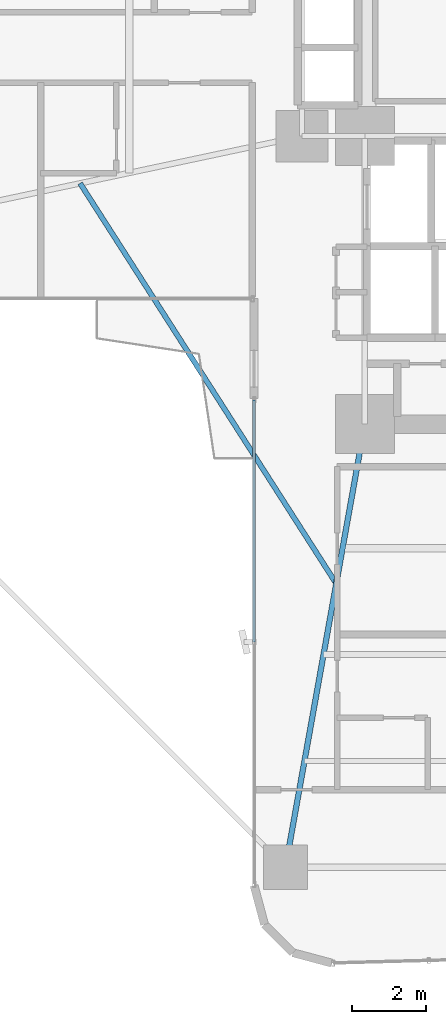
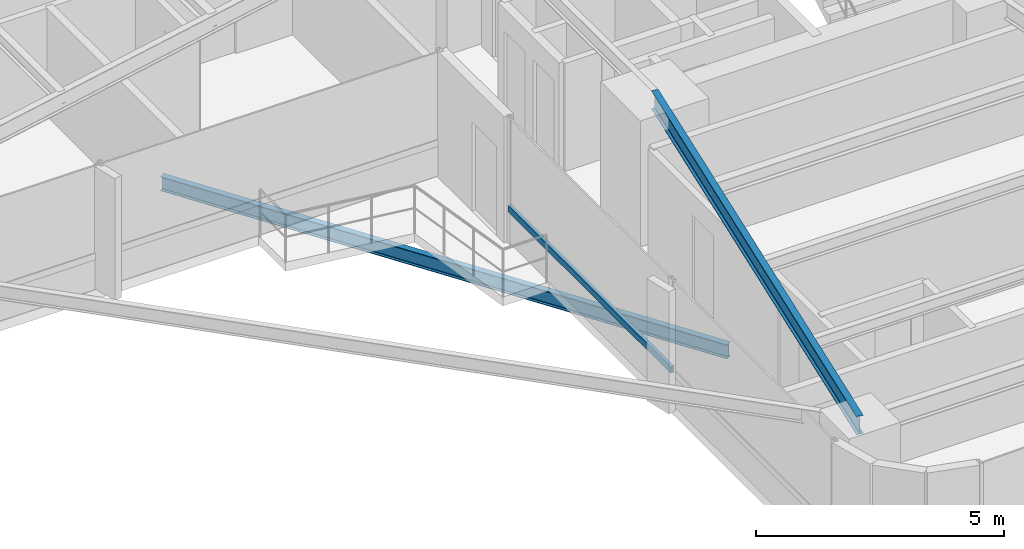
# One storey, part 3 of 25: 2 beams, 1 member, 1 element without a shape of its own.
"""IFC4 building model written with IfcOpenShell, lengths in metres."""

import ifcopenshell
import ifcopenshell.guid

model = None  # the IFC model being written
_history = None  # IfcOwnerHistory: only IFC2X3 demands one
_inside = {}  # id of a spatial element -> (the spatial element, [elements in it])
_under = {}  # id of a project, library or spatial element -> (it, [spatial elements below it])
_declared = {}  # id of a project -> (the project, [libraries it declares])
_typed = {}  # id of a type object -> (the type object, [elements of that type])
_made_of = {}  # id of a material, layer set ... -> (it, [elements and type objects made of it])


def new_model(schema):
    """Start an empty IFC model of exactly this schema.

    Asked for "IFC4X3", IfcOpenShell would pick the latest addendum, in which some entities
    have other attributes; the version numbers below select the first issue.
    IFC2X3 requires an IfcOwnerHistory on every rooted entity: one is made here for all.
    """
    global model, _history
    if schema == "IFC4X3":
        model = ifcopenshell.file(schema_version=(4, 3, 0, 0))
    else:
        model = ifcopenshell.file(schema=schema)
    _inside.clear()
    _under.clear()
    _declared.clear()
    _typed.clear()
    _made_of.clear()
    _history = None
    if model.schema == "IFC2X3":
        org = make("IfcOrganization", Name="unknown")
        user = make(
            "IfcPersonAndOrganization",
            ThePerson=make("IfcPerson", FamilyName="unknown"),
            TheOrganization=org,
        )
        app = make(
            "IfcApplication",
            ApplicationDeveloper=org,
            Version="unknown",
            ApplicationFullName="unknown",
            ApplicationIdentifier="unknown",
        )
        _history = make(
            "IfcOwnerHistory",
            OwningUser=user,
            OwningApplication=app,
            ChangeAction="ADDED",
            CreationDate=0,
        )
    return model


def make(cls, **values):
    """One entity of the class cls with the attributes given. An attribute that is None is left unset."""
    return model.create_entity(
        cls, **{name: value for name, value in values.items() if value is not None}
    )


def rooted(cls, **values):
    """An entity with a GlobalId (a new one), such as an element, a storey or a relation."""
    return make(cls, GlobalId=ifcopenshell.guid.new(), OwnerHistory=_history, **values)


def si_unit(unit_type, name, prefix=None):
    """IfcSIUnit, for example si_unit("LENGTHUNIT", "METRE", prefix="MILLI")."""
    return make("IfcSIUnit", UnitType=unit_type, Prefix=prefix, Name=name)


def assignment(units):
    """IfcUnitAssignment: the units of a project."""
    return None if units is None else make("IfcUnitAssignment", Units=units)


def point(xyz):
    """IfcCartesianPoint."""
    return None if xyz is None else make("IfcCartesianPoint", Coordinates=xyz)


def direction(xyz):
    """IfcDirection."""
    return None if xyz is None else make("IfcDirection", DirectionRatios=xyz)


def frame(location, z_axis=None, x_axis=None):
    """IfcAxis2Placement3D, a coordinate frame: its origin and axes. An axis left out is left unset."""
    return make(
        "IfcAxis2Placement3D",
        Location=point(location),
        Axis=direction(z_axis),
        RefDirection=direction(x_axis),
    )


def frame_2d(location, x_axis=None):
    """IfcAxis2Placement2D, a coordinate frame in the plane: its origin and x axis."""
    return make(
        "IfcAxis2Placement2D", Location=point(location), RefDirection=direction(x_axis)
    )


def origin():
    """The frame at (0, 0, 0) with its axes left unset."""
    return frame((0.0, 0.0, 0.0))


def origin_2d():
    """The frame at (0, 0) in the plane with its x axis left unset."""
    return frame_2d((0.0, 0.0))


def place(relative_to, where):
    """IfcLocalPlacement: puts the frame where relative to a parent placement (None: the world)."""
    return make(
        "IfcLocalPlacement", PlacementRelTo=relative_to, RelativePlacement=where
    )


def context(
    kind, dimensions, precision=None, world=None, true_north=None, identifier=None
):
    """IfcGeometricRepresentationContext, for example the 3D "Model" context."""
    return make(
        "IfcGeometricRepresentationContext",
        ContextIdentifier=identifier,
        ContextType=kind,
        CoordinateSpaceDimension=dimensions,
        Precision=precision,
        WorldCoordinateSystem=world,
        TrueNorth=true_north,
    )


def subcontext(parent, identifier, kind, view, scale=None):
    """IfcGeometricRepresentationSubContext, for example "Body" below "Model"."""
    return make(
        "IfcGeometricRepresentationSubContext",
        ContextIdentifier=identifier,
        ContextType=kind,
        ParentContext=parent,
        TargetScale=scale,
        TargetView=view,
    )


def project(units=None, contexts=None):
    """IfcProject with its units and contexts."""
    return rooted(
        "IfcProject",
        Name="project",
        RepresentationContexts=contexts,
        UnitsInContext=assignment(units),
    )


def spatial(cls, under=None, at=None, **own):
    """A site, building, storey or space (cls), placed at a placement, below another one or the project."""
    s = rooted(cls, ObjectPlacement=at, **own)
    if under is not None:
        _under.setdefault(under.id(), (under, []))[1].append(s)
    return s


def profile(cls, at=None, kind="AREA", **sizes):
    """A parametric profile (cls). Its sizes go by their IFC names, for example OverallWidth=200.0."""
    return make(cls, ProfileType=kind, Position=at, **sizes)


def hollow_rectangle(**sizes):
    """IfcRectangleHollowProfileDef."""
    return profile("IfcRectangleHollowProfileDef", **sizes)


def i_section(**sizes):
    """IfcIShapeProfileDef."""
    return profile("IfcIShapeProfileDef", **sizes)


def extrude(swept, where, along, depth):
    """IfcExtrudedAreaSolid: the profile swept, set in the frame where, extruded along a direction by depth."""
    return make(
        "IfcExtrudedAreaSolid",
        SweptArea=swept,
        Position=where,
        ExtrudedDirection=direction(along),
        Depth=depth,
    )


def shape(context_of_items, identifier, shape_type, items):
    """IfcShapeRepresentation: the items that make up one representation, for example the "Body"."""
    return make(
        "IfcShapeRepresentation",
        ContextOfItems=context_of_items,
        RepresentationIdentifier=identifier,
        RepresentationType=shape_type,
        Items=items,
    )


def source(mapping_origin, context_of_items, identifier, shape_type, items):
    """IfcRepresentationMap: a shape defined once, which mapped items show again and again."""
    return make(
        "IfcRepresentationMap",
        MappingOrigin=mapping_origin,
        MappedRepresentation=shape(context_of_items, identifier, shape_type, items),
    )


def transform(
    local_origin,
    x_axis=None,
    y_axis=None,
    z_axis=None,
    scale=None,
    scale2=None,
    scale3=None,
    uniform=True,
):
    """IfcCartesianTransformationOperator3D, or its non-uniform kind. x_axis, y_axis, z_axis: its Axis1, 2, 3."""
    if uniform:
        return make(
            "IfcCartesianTransformationOperator3D",
            Axis1=direction(x_axis),
            Axis2=direction(y_axis),
            LocalOrigin=point(local_origin),
            Scale=scale,
            Axis3=direction(z_axis),
        )
    return make(
        "IfcCartesianTransformationOperator3DnonUniform",
        Axis1=direction(x_axis),
        Axis2=direction(y_axis),
        LocalOrigin=point(local_origin),
        Scale=scale,
        Axis3=direction(z_axis),
        Scale2=scale2,
        Scale3=scale3,
    )


def mapped(mapping_source, mapping_target):
    """IfcMappedItem: shows the shape of a source again, moved by a transform."""
    return make(
        "IfcMappedItem", MappingSource=mapping_source, MappingTarget=mapping_target
    )


def material(Name=None, Category=None):
    """IfcMaterial."""
    return make("IfcMaterial", Name=Name, Category=Category)


def material_profile(
    of_material, cross_section, Name=None, Category=None, Priority=None
):
    """IfcMaterialProfile: a cross section and its material."""
    return make(
        "IfcMaterialProfile",
        Name=Name,
        Material=of_material,
        Profile=cross_section,
        Priority=Priority,
        Category=Category,
    )


def profile_set(profiles, Name=None, composite=None):
    """IfcMaterialProfileSet."""
    return make(
        "IfcMaterialProfileSet",
        Name=Name,
        MaterialProfiles=profiles,
        CompositeProfile=composite,
    )


def made_of(thing, what):
    """Note that an element or type object is made of a material, layer set ...; save() writes the relation."""
    if what is not None:
        _made_of.setdefault(what.id(), (what, []))[1].append(thing)
    return thing


def type_object(cls, material=None, **own):
    """A type object (cls), such as IfcWallType, which elements share."""
    return made_of(rooted(cls, **own), material)


def element(
    cls,
    number,
    at=None,
    inside=None,
    cuts=None,
    type_object=None,
    material=None,
    context=None,
    identifier="Body",
    shape_type=None,
    held_by="IfcProductDefinitionShape",
    body=None,
    shapes=None,
    **own,
):
    """One element of the class cls, such as IfcWall. Its Tag is "e" and its number.

    at: its placement. inside: the storey or other place that contains it. cuts: it is an
    opening in that element (IfcRelVoidsElement). A single representation is given by context,
    identifier, shape_type and body (its items); several are given by shapes. held_by: the class
    of the entity that holds the representations. save() writes the other relations.
    """
    e = rooted(cls, Tag="e%d" % number, ObjectPlacement=at, **own)
    if body is not None:
        shapes = [shape(context, identifier, shape_type, body)]
    if shapes is not None:
        e.Representation = make(held_by, Representations=shapes)
    if inside is not None:
        _inside.setdefault(inside.id(), (inside, []))[1].append(e)
    if cuts is not None:
        rooted(
            "IfcRelVoidsElement", RelatingBuildingElement=cuts, RelatedOpeningElement=e
        )
    if type_object is not None:
        _typed.setdefault(type_object.id(), (type_object, []))[1].append(e)
    return made_of(e, material)


def aggregate(whole, parts):
    """IfcRelAggregates: a whole, such as a stair, and the parts it consists of."""
    return rooted("IfcRelAggregates", RelatingObject=whole, RelatedObjects=parts)


def save(model, path):
    """Write the relations noted so far, then the file.

    IfcRelAggregates (storeys below a building ...), IfcRelContainedInSpatialStructure (elements
    in a storey), IfcRelDefinesByType, IfcRelAssociatesMaterial and IfcRelDeclares: one each for
    every whole, place, type object, material and project.
    """
    for whole, parts in _under.values():
        aggregate(whole, parts)
    for where, things in _inside.values():
        rooted(
            "IfcRelContainedInSpatialStructure",
            RelatedElements=things,
            RelatingStructure=where,
        )
    for kind, things in _typed.values():
        rooted("IfcRelDefinesByType", RelatedObjects=things, RelatingType=kind)
    for what, things in _made_of.values():
        rooted("IfcRelAssociatesMaterial", RelatedObjects=things, RelatingMaterial=what)
    for by, libraries in _declared.values():
        rooted("IfcRelDeclares", RelatingContext=by, RelatedDefinitions=libraries)
    model.write(path)


model = new_model("IFC4")

# Units and contexts
model_context = context("Model", 3, precision=1e-05, world=origin(), true_north=direction((0.0, 1.0)))
body_context = subcontext(model_context, "Body", "Model", "MODEL_VIEW")
ifc_project = project(units=[si_unit("LENGTHUNIT", "METRE"), si_unit("AREAUNIT", "SQUARE_METRE"), si_unit("VOLUMEUNIT", "CUBIC_METRE"), si_unit("PLANEANGLEUNIT", "RADIAN"), si_unit("MASSUNIT", "GRAM", prefix="KILO")], contexts=[model_context])

# Site, building, storey
site_placement = place(None, origin())
site = spatial("IfcSite", under=ifc_project, at=site_placement, CompositionType="ELEMENT")
building_placement = place(site_placement, origin())
building = spatial("IfcBuilding", under=site, at=building_placement, Name="Sahyath Konkavel Grand Hotel", CompositionType="ELEMENT")
storey_placement = place(building_placement, frame((0.0, 0.0, 33.14990234375)))
storey = spatial("IfcBuildingStorey", under=building, at=storey_placement, Name="L08", CompositionType="ELEMENT", Elevation=33.14990234375)

# Beam
ifc_material_1 = material(Name="Steel E350", Category="steel")
ifc_material_profile_1 = material_profile(ifc_material_1, i_section(OverallWidth=0.14990234375, OverallDepth=0.449951171875, WebThickness=0.009521484375, FlangeThickness=0.017333984375, FilletRadius=0.014892578125, at=origin_2d()), Name="ISMB 450")
ifc_profile_set_1 = profile_set([ifc_material_profile_1], Name="Steel E350")
beam_type_1 = type_object("IfcBeamType", Name="BM-ISMB450", PredefinedType="BEAM", material=ifc_profile_set_1)
shared_shape_1 = source(origin(), body_context, "Body", "SweptSolid", [
    extrude(i_section(OverallWidth=0.14990234375, OverallDepth=0.449951171875, WebThickness=0.009521484375, FlangeThickness=0.017333984375, FilletRadius=0.014892578125, at=origin_2d()), origin(), (0.0, 0.0, 1.0), 12.191162109375),
])
beam_1_placement = place(storey_placement, frame((-3.800048828125, -10.199951171875, 2.885009765625), z_axis=(-0.176350650305, -0.984327409014, 0.0), x_axis=(0.984327409014, -0.176350650305, 0.0)))
element("IfcBeam", 1, at=beam_1_placement, inside=storey, type_object=beam_type_1, Name="L08 Cruciform Radial Girder SA", PredefinedType="BEAM", context=body_context, shape_type="MappedRepresentation", body=[
    mapped(shared_shape_1, transform((0.0, 0.0, 0.0), scale=1.0)),
])

# Curtain wall, member
ifc_material_2 = material(Name="Anodised Bronze Aluminium & Low-E Glazing", Category="aluminium")
curtain_wall_type = type_object("IfcCurtainWallType", Name="CW-ZONE1", PredefinedType="NOTDEFINED", material=ifc_material_2)
curtain_wall_placement = place(storey_placement, origin())
curtain_wall = element("IfcCurtainWall", 2, at=curtain_wall_placement, inside=storey, type_object=curtain_wall_type, Name="L08 Unitised Curtain Wall F24", PredefinedType="NOTDEFINED")
ifc_material_3 = material(Name="Anodised Bronze Aluminium", Category="aluminium")
ifc_material_profile_2 = material_profile(ifc_material_3, hollow_rectangle(XDim=0.080078125, YDim=0.159912109375, WallThickness=0.006103515625, at=origin_2d()), Name="RHS 160x80x6")
ifc_profile_set_2 = profile_set([ifc_material_profile_2], Name="Anodised Bronze Aluminium")
member_type = type_object("IfcMemberType", Name="CW-TRN-160", PredefinedType="USERDEFINED", material=ifc_profile_set_2)
shared_shape_2 = source(origin(), body_context, "Body", "SweptSolid", [
    extrude(hollow_rectangle(XDim=0.080078125, YDim=0.159912109375, WallThickness=0.006103515625, at=origin_2d()), origin(), (0.0, 0.0, 1.0), 6.56005859375),
])
member_placement = place(storey_placement, frame((-6.800048828125, -9.5400390625, 0.85009765625), z_axis=(0.0, -1.0, 0.0), x_axis=(1.0, 0.0, 0.0)))
member = element("IfcMember", 3, at=member_placement, type_object=member_type, Name="L08 Curtain Wall Transom F24-0-spandrel", ObjectType="TRANSOM", PredefinedType="USERDEFINED", context=body_context, shape_type="MappedRepresentation", body=[
    mapped(shared_shape_2, transform((0.0, 0.0, 0.0), scale=1.0)),
])
aggregate(curtain_wall, [member])

# Beam
ifc_material_profile_3 = material_profile(ifc_material_1, i_section(OverallWidth=0.139892578125, OverallDepth=0.35009765625, WebThickness=0.008056640625, FlangeThickness=0.01416015625, FilletRadius=0.013916015625, at=origin_2d()), Name="ISMB 350")
ifc_profile_set_3 = profile_set([ifc_material_profile_3], Name="Steel E350")
beam_type_2 = type_object("IfcBeamType", Name="BM-BALC-CANT", PredefinedType="BEAM", material=ifc_profile_set_3)
shared_shape_3 = source(origin(), body_context, "Body", "SweptSolid", [
    extrude(i_section(OverallWidth=0.139892578125, OverallDepth=0.35009765625, WebThickness=0.008056640625, FlangeThickness=0.01416015625, FilletRadius=0.013916015625, at=origin_2d()), origin(), (0.0, 0.0, 1.0), 12.871826171875),
])
beam_2_placement = place(storey_placement, frame((-11.511962890625, -3.677978515625, -0.414794921875), z_axis=(0.539003102535, -0.842303778608, 0.0), x_axis=(0.842303778608, 0.539003102535, 0.0)))
element("IfcBeam", 4, at=beam_2_placement, inside=storey, type_object=beam_type_2, Name="L08 Balcony Cantilever Support Beam SW", PredefinedType="BEAM", context=body_context, shape_type="MappedRepresentation", body=[
    mapped(shared_shape_3, transform((0.0, 0.0, 0.0), scale=1.0)),
])

save(model, "model.ifc")
